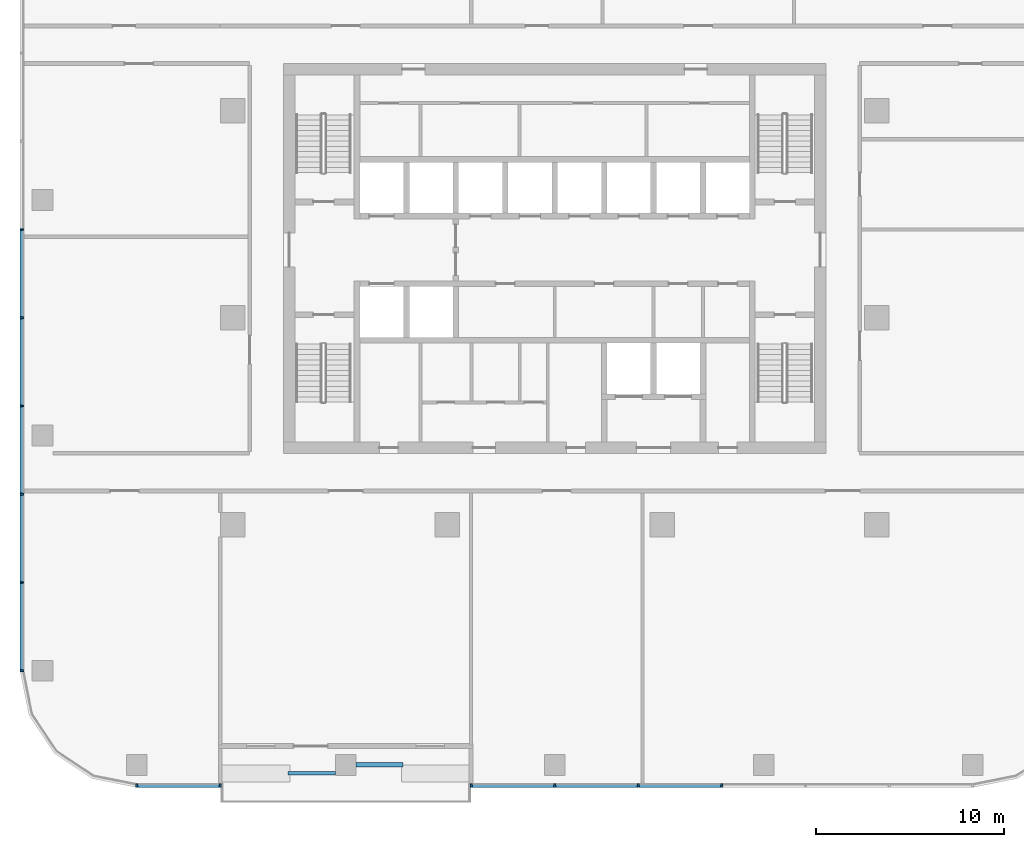
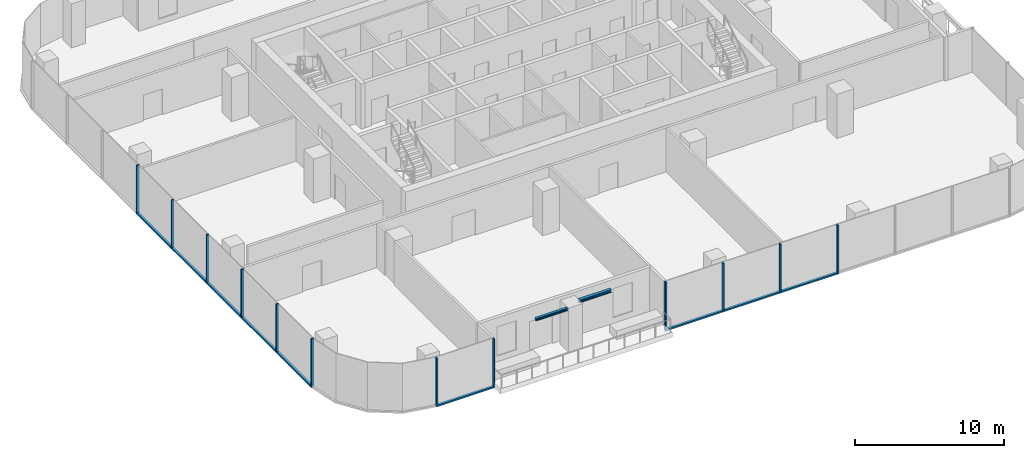
# One storey, part 2 of 14: 21 members, 2 beams, 3 elements without a shape of their own.
"""IFC4 building model written with IfcOpenShell, lengths in metres."""

from ifc_helpers import new_model, si_unit, direction, frame, origin, origin_2d, place, context, subcontext, project, spatial, rectangle, i_section, extrude, material, material_profile, profile_set, type_object, element, aggregate, save


model = new_model("IFC4")

# Units and contexts
model_context = context("Model", 3, precision=1e-05, world=origin(), true_north=direction((0.0, 1.0)))
body_context = subcontext(model_context, "Body", "Model", "MODEL_VIEW")
ifc_project = project(units=[si_unit("LENGTHUNIT", "METRE"), si_unit("AREAUNIT", "SQUARE_METRE"), si_unit("VOLUMEUNIT", "CUBIC_METRE"), si_unit("PLANEANGLEUNIT", "RADIAN"), si_unit("MASSUNIT", "GRAM", prefix="KILO")], contexts=[model_context])

# Site, building, storey
site_placement = place(None, origin())
site = spatial("IfcSite", under=ifc_project, at=site_placement, CompositionType="ELEMENT")
building_placement = place(site_placement, origin())
building = spatial("IfcBuilding", under=site, at=building_placement, Name="Mopane Tessera Tower", CompositionType="ELEMENT")
storey_placement = place(building_placement, frame((0.0, 0.0, 219.0)))
storey = spatial("IfcBuildingStorey", under=building, at=storey_placement, Name="L46", CompositionType="ELEMENT", Elevation=219.0)

# Curtain wall, members
ifc_material_1 = material(Name="Aluminium frame", Category="aluminium")
curtain_wall_type = type_object("IfcCurtainWallType", Name="Unitised curtain wall", PredefinedType="NOTDEFINED", material=ifc_material_1)
curtain_wall_1_placement = place(storey_placement, origin())
curtain_wall_1 = element("IfcCurtainWall", 1, at=curtain_wall_1_placement, inside=storey, type_object=curtain_wall_type, Name="e:cw:L46:S:0", PredefinedType="NOTDEFINED")
ifc_material_2 = material(Name="Aluminium frame", Category="aluminium")
ifc_material_profile_1 = material_profile(ifc_material_2, rectangle(XDim=0.10009765625, YDim=0.199951171875, at=origin_2d()))
ifc_profile_set_1 = profile_set([ifc_material_profile_1], Name="Aluminium frame")
member_type_1 = type_object("IfcMemberType", Name="Aluminium mullion 100 x 200", PredefinedType="MULLION", material=ifc_profile_set_1)
member_1_placement = place(storey_placement, frame((-22.199951171875, -24.85009765625, -0.39990234375), z_axis=(0.0, 0.0, 1.0), x_axis=(1.0, 0.0, 0.0)))
member_1 = element("IfcMember", 2, at=member_1_placement, type_object=member_type_1, Name="e:cw:L46:S:0:mu0", PredefinedType="MULLION", context=body_context, shape_type="SweptSolid", body=[
    extrude(rectangle(XDim=0.10009765625, YDim=0.199951171875, at=origin_2d()), origin(), (0.0, 0.0, 1.0), 4.0),
])
member_2_placement = place(storey_placement, frame((-17.760009765625, -24.85009765625, -0.39990234375), z_axis=(0.0, 0.0, 1.0), x_axis=(1.0, 0.0, 0.0)))
member_2 = element("IfcMember", 3, at=member_2_placement, type_object=member_type_1, Name="e:cw:L46:S:0:mu1", PredefinedType="MULLION", context=body_context, shape_type="SweptSolid", body=[
    extrude(rectangle(XDim=0.10009765625, YDim=0.199951171875, at=origin_2d()), origin(), (0.0, 0.0, 1.0), 4.0),
])

curtain_wall_2_placement = place(storey_placement, origin())
curtain_wall_2 = element("IfcCurtainWall", 4, at=curtain_wall_2_placement, inside=storey, type_object=curtain_wall_type, Name="e:cw:L46:S:4", PredefinedType="NOTDEFINED")
member_3_placement = place(storey_placement, frame((-4.43994140625, -24.85009765625, -0.39990234375), z_axis=(0.0, 0.0, 1.0), x_axis=(1.0, 0.0, 0.0)))
member_3 = element("IfcMember", 5, at=member_3_placement, type_object=member_type_1, Name="e:cw:L46:S:4:mu4", PredefinedType="MULLION", context=body_context, shape_type="SweptSolid", body=[
    extrude(rectangle(XDim=0.10009765625, YDim=0.199951171875, at=origin_2d()), origin(), (0.0, 0.0, 1.0), 4.0),
])
member_4_placement = place(storey_placement, frame((0.0, -24.85009765625, -0.39990234375), z_axis=(0.0, 0.0, 1.0), x_axis=(1.0, 0.0, 0.0)))
member_4 = element("IfcMember", 6, at=member_4_placement, type_object=member_type_1, Name="e:cw:L46:S:4:mu5", PredefinedType="MULLION", context=body_context, shape_type="SweptSolid", body=[
    extrude(rectangle(XDim=0.10009765625, YDim=0.199951171875, at=origin_2d()), origin(), (0.0, 0.0, 1.0), 4.0),
])
member_5_placement = place(storey_placement, frame((4.43994140625, -24.85009765625, -0.39990234375), z_axis=(0.0, 0.0, 1.0), x_axis=(1.0, 0.0, 0.0)))
member_5 = element("IfcMember", 7, at=member_5_placement, type_object=member_type_1, Name="e:cw:L46:S:4:mu6", PredefinedType="MULLION", context=body_context, shape_type="SweptSolid", body=[
    extrude(rectangle(XDim=0.10009765625, YDim=0.199951171875, at=origin_2d()), origin(), (0.0, 0.0, 1.0), 4.0),
])
member_6_placement = place(storey_placement, frame((8.8798828125, -24.85009765625, -0.39990234375), z_axis=(0.0, 0.0, 1.0), x_axis=(1.0, 0.0, 0.0)))
member_6 = element("IfcMember", 8, at=member_6_placement, type_object=member_type_1, Name="e:cw:L46:S:4:mu7", PredefinedType="MULLION", context=body_context, shape_type="SweptSolid", body=[
    extrude(rectangle(XDim=0.10009765625, YDim=0.199951171875, at=origin_2d()), origin(), (0.0, 0.0, 1.0), 4.0),
])

curtain_wall_3_placement = place(storey_placement, origin())
curtain_wall_3 = element("IfcCurtainWall", 9, at=curtain_wall_3_placement, inside=storey, type_object=curtain_wall_type, Name="e:cw:L46:W:0", PredefinedType="NOTDEFINED")
member_7_placement = place(storey_placement, frame((-28.300048828125, 4.6875, -0.39990234375), z_axis=(0.0, 0.0, 1.0), x_axis=(0.0, -1.0, 0.0)))
member_7 = element("IfcMember", 10, at=member_7_placement, type_object=member_type_1, Name="e:cw:L46:W:0:mu3", PredefinedType="MULLION", context=body_context, shape_type="SweptSolid", body=[
    extrude(rectangle(XDim=0.10009765625, YDim=0.199951171875, at=origin_2d()), origin(), (0.0, 0.0, 1.0), 4.0),
])
member_8_placement = place(storey_placement, frame((-28.300048828125, 0.0, -0.39990234375), z_axis=(0.0, 0.0, 1.0), x_axis=(0.0, -1.0, 0.0)))
member_8 = element("IfcMember", 11, at=member_8_placement, type_object=member_type_1, Name="e:cw:L46:W:0:mu4", PredefinedType="MULLION", context=body_context, shape_type="SweptSolid", body=[
    extrude(rectangle(XDim=0.10009765625, YDim=0.199951171875, at=origin_2d()), origin(), (0.0, 0.0, 1.0), 4.0),
])
member_9_placement = place(storey_placement, frame((-28.300048828125, -4.6875, -0.39990234375), z_axis=(0.0, 0.0, 1.0), x_axis=(0.0, -1.0, 0.0)))
member_9 = element("IfcMember", 12, at=member_9_placement, type_object=member_type_1, Name="e:cw:L46:W:0:mu5", PredefinedType="MULLION", context=body_context, shape_type="SweptSolid", body=[
    extrude(rectangle(XDim=0.10009765625, YDim=0.199951171875, at=origin_2d()), origin(), (0.0, 0.0, 1.0), 4.0),
])
member_10_placement = place(storey_placement, frame((-28.300048828125, -9.375, -0.39990234375), z_axis=(0.0, 0.0, 1.0), x_axis=(0.0, -1.0, 0.0)))
member_10 = element("IfcMember", 13, at=member_10_placement, type_object=member_type_1, Name="e:cw:L46:W:0:mu6", PredefinedType="MULLION", context=body_context, shape_type="SweptSolid", body=[
    extrude(rectangle(XDim=0.10009765625, YDim=0.199951171875, at=origin_2d()), origin(), (0.0, 0.0, 1.0), 4.0),
])
member_11_placement = place(storey_placement, frame((-28.300048828125, -14.0625, -0.39990234375), z_axis=(0.0, 0.0, 1.0), x_axis=(0.0, -1.0, 0.0)))
member_11 = element("IfcMember", 14, at=member_11_placement, type_object=member_type_1, Name="e:cw:L46:W:0:mu7", PredefinedType="MULLION", context=body_context, shape_type="SweptSolid", body=[
    extrude(rectangle(XDim=0.10009765625, YDim=0.199951171875, at=origin_2d()), origin(), (0.0, 0.0, 1.0), 4.0),
])
member_12_placement = place(storey_placement, frame((-28.300048828125, -18.75, -0.39990234375), z_axis=(0.0, 0.0, 1.0), x_axis=(0.0, -1.0, 0.0)))
member_12 = element("IfcMember", 15, at=member_12_placement, type_object=member_type_1, Name="e:cw:L46:W:0:mu8", PredefinedType="MULLION", context=body_context, shape_type="SweptSolid", body=[
    extrude(rectangle(XDim=0.10009765625, YDim=0.199951171875, at=origin_2d()), origin(), (0.0, 0.0, 1.0), 4.0),
])

# Member
ifc_material_3 = material(Name="Aluminium frame", Category="aluminium")
ifc_material_profile_2 = material_profile(ifc_material_3, rectangle(XDim=0.199951171875, YDim=0.1201171875, at=origin_2d()))
ifc_profile_set_2 = profile_set([ifc_material_profile_2], Name="Aluminium frame")
member_type_2 = type_object("IfcMemberType", Name="Aluminium transom 200 x 120", PredefinedType="USERDEFINED", material=ifc_profile_set_2)
member_13_placement = place(storey_placement, frame((-22.14990234375, -24.85009765625, -0.340087890625), z_axis=(1.0, 0.0, 0.0), x_axis=(0.0, 1.0, 0.0)))
member_13 = element("IfcMember", 16, at=member_13_placement, type_object=member_type_2, Name="e:cw:L46:S:0:tr0", ObjectType="TRANSOM", PredefinedType="USERDEFINED", context=body_context, shape_type="SweptSolid", body=[
    extrude(rectangle(XDim=0.199951171875, YDim=0.1201171875, at=origin_2d()), origin(), (0.0, 0.0, 1.0), 4.33984375),
])

aggregate(curtain_wall_1, [member_1, member_2, member_13])

member_14_placement = place(storey_placement, frame((-4.389892578125, -24.85009765625, -0.340087890625), z_axis=(1.0, 0.0, 0.0), x_axis=(0.0, 1.0, 0.0)))
member_14 = element("IfcMember", 17, at=member_14_placement, type_object=member_type_2, Name="e:cw:L46:S:4:tr4", ObjectType="TRANSOM", PredefinedType="USERDEFINED", context=body_context, shape_type="SweptSolid", body=[
    extrude(rectangle(XDim=0.199951171875, YDim=0.1201171875, at=origin_2d()), origin(), (0.0, 0.0, 1.0), 4.33984375),
])

member_15_placement = place(storey_placement, frame((0.050048828125, -24.85009765625, -0.340087890625), z_axis=(1.0, 0.0, 0.0), x_axis=(0.0, 1.0, 0.0)))
member_15 = element("IfcMember", 18, at=member_15_placement, type_object=member_type_2, Name="e:cw:L46:S:4:tr5", ObjectType="TRANSOM", PredefinedType="USERDEFINED", context=body_context, shape_type="SweptSolid", body=[
    extrude(rectangle(XDim=0.199951171875, YDim=0.1201171875, at=origin_2d()), origin(), (0.0, 0.0, 1.0), 4.33984375),
])

member_16_placement = place(storey_placement, frame((4.489990234375, -24.85009765625, -0.340087890625), z_axis=(1.0, 0.0, 0.0), x_axis=(0.0, 1.0, 0.0)))
member_16 = element("IfcMember", 19, at=member_16_placement, type_object=member_type_2, Name="e:cw:L46:S:4:tr6", ObjectType="TRANSOM", PredefinedType="USERDEFINED", context=body_context, shape_type="SweptSolid", body=[
    extrude(rectangle(XDim=0.199951171875, YDim=0.1201171875, at=origin_2d()), origin(), (0.0, 0.0, 1.0), 4.340087890625),
])

aggregate(curtain_wall_2, [member_3, member_4, member_5, member_6, member_14, member_15, member_16])

member_17_placement = place(storey_placement, frame((-28.300048828125, 4.637451171875, -0.340087890625), z_axis=(0.0, -1.0, 0.0), x_axis=(1.0, 0.0, 0.0)))
member_17 = element("IfcMember", 20, at=member_17_placement, type_object=member_type_2, Name="e:cw:L46:W:0:tr3", ObjectType="TRANSOM", PredefinedType="USERDEFINED", context=body_context, shape_type="SweptSolid", body=[
    extrude(rectangle(XDim=0.199951171875, YDim=0.1201171875, at=origin_2d()), origin(), (0.0, 0.0, 1.0), 4.58740234375),
])

member_18_placement = place(storey_placement, frame((-28.300048828125, -0.050048828125, -0.340087890625), z_axis=(0.0, -1.0, 0.0), x_axis=(1.0, 0.0, 0.0)))
member_18 = element("IfcMember", 21, at=member_18_placement, type_object=member_type_2, Name="e:cw:L46:W:0:tr4", ObjectType="TRANSOM", PredefinedType="USERDEFINED", context=body_context, shape_type="SweptSolid", body=[
    extrude(rectangle(XDim=0.199951171875, YDim=0.1201171875, at=origin_2d()), origin(), (0.0, 0.0, 1.0), 4.58740234375),
])

member_19_placement = place(storey_placement, frame((-28.300048828125, -4.737548828125, -0.340087890625), z_axis=(0.0, -1.0, 0.0), x_axis=(1.0, 0.0, 0.0)))
member_19 = element("IfcMember", 22, at=member_19_placement, type_object=member_type_2, Name="e:cw:L46:W:0:tr5", ObjectType="TRANSOM", PredefinedType="USERDEFINED", context=body_context, shape_type="SweptSolid", body=[
    extrude(rectangle(XDim=0.199951171875, YDim=0.1201171875, at=origin_2d()), origin(), (0.0, 0.0, 1.0), 4.58740234375),
])

member_20_placement = place(storey_placement, frame((-28.300048828125, -9.425048828125, -0.340087890625), z_axis=(0.0, -1.0, 0.0), x_axis=(1.0, 0.0, 0.0)))
member_20 = element("IfcMember", 23, at=member_20_placement, type_object=member_type_2, Name="e:cw:L46:W:0:tr6", ObjectType="TRANSOM", PredefinedType="USERDEFINED", context=body_context, shape_type="SweptSolid", body=[
    extrude(rectangle(XDim=0.199951171875, YDim=0.1201171875, at=origin_2d()), origin(), (0.0, 0.0, 1.0), 4.58740234375),
])

member_21_placement = place(storey_placement, frame((-28.300048828125, -14.112548828125, -0.340087890625), z_axis=(0.0, -1.0, 0.0), x_axis=(1.0, 0.0, 0.0)))
member_21 = element("IfcMember", 24, at=member_21_placement, type_object=member_type_2, Name="e:cw:L46:W:0:tr7", ObjectType="TRANSOM", PredefinedType="USERDEFINED", context=body_context, shape_type="SweptSolid", body=[
    extrude(rectangle(XDim=0.199951171875, YDim=0.1201171875, at=origin_2d()), origin(), (0.0, 0.0, 1.0), 4.58740234375),
])

aggregate(curtain_wall_3, [member_7, member_8, member_9, member_10, member_11, member_12, member_17, member_18, member_19, member_20, member_21])

# Beams
ifc_material_4 = material(Name="Structural steel S460", Category="steel")
ifc_material_profile_3 = material_profile(ifc_material_4, i_section(OverallWidth=0.239990234375, OverallDepth=0.239990234375, WebThickness=0.010009765625, FlangeThickness=0.01708984375, FilletRadius=0.02099609375, at=origin_2d()))
ifc_profile_set_3 = profile_set([ifc_material_profile_3], Name="Structural steel S460")
beam_type_1 = type_object("IfcBeamType", Name="Terrace spandrel beam HE 240 B", PredefinedType="SPANDREL", material=ifc_profile_set_3)
beam_1_placement = place(storey_placement, frame((-10.547119140625, -23.75, 3.47998046875), z_axis=(1.0, 0.0, 0.0), x_axis=(0.0, 1.0, 0.0)))
element("IfcBeam", 25, at=beam_1_placement, inside=storey, type_object=beam_type_1, Name="Terrace spandrel beam N1 L47", PredefinedType="SPANDREL", context=body_context, shape_type="SweptSolid", body=[
    extrude(i_section(OverallWidth=0.239990234375, OverallDepth=0.239990234375, WebThickness=0.010009765625, FlangeThickness=0.01708984375, FilletRadius=0.02099609375, at=origin_2d()), origin(), (0.0, 0.0, 1.0), 2.5),
])
ifc_material_5 = material(Name="Structural steel S460", Category="steel")
ifc_material_profile_4 = material_profile(ifc_material_5, i_section(OverallWidth=0.199951171875, OverallDepth=0.199951171875, WebThickness=0.009033203125, FlangeThickness=0.014892578125, FilletRadius=0.01806640625, at=origin_2d()))
ifc_profile_set_4 = profile_set([ifc_material_profile_4], Name="Structural steel S460")
beam_type_2 = type_object("IfcBeamType", Name="Terrace trimmer beam HE 200 B", PredefinedType="BEAM", material=ifc_profile_set_4)
beam_2_placement = place(storey_placement, frame((-11.653076171875, -24.18994140625, 3.5), z_axis=(-1.0, 0.0, 0.0), x_axis=(0.0, -1.0, 0.0)))
element("IfcBeam", 26, at=beam_2_placement, inside=storey, type_object=beam_type_2, Name="Terrace trimmer beam N1 L47", PredefinedType="BEAM", context=body_context, shape_type="SweptSolid", body=[
    extrude(i_section(OverallWidth=0.199951171875, OverallDepth=0.199951171875, WebThickness=0.009033203125, FlangeThickness=0.014892578125, FilletRadius=0.01806640625, at=origin_2d()), origin(), (0.0, 0.0, 1.0), 2.5),
])

save(model, "model.ifc")
